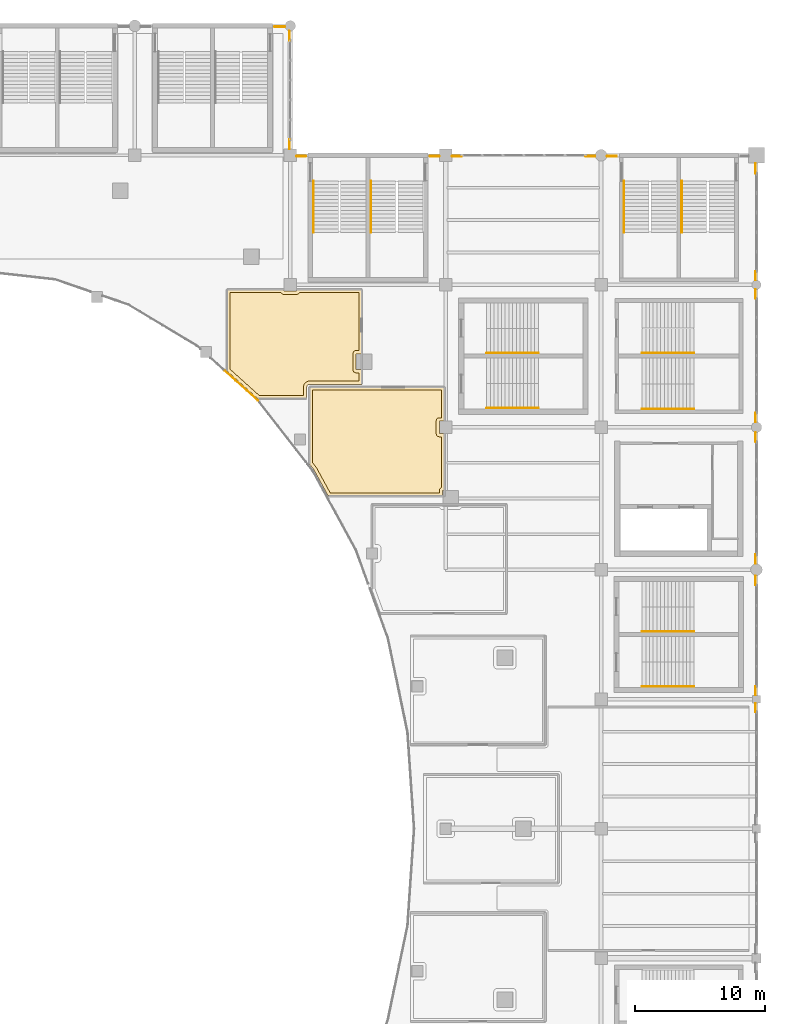
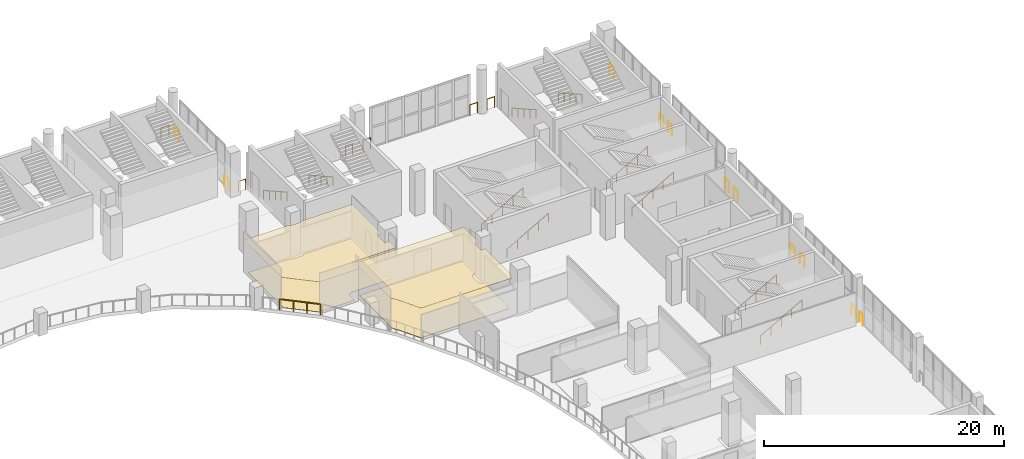
# One storey, part 89 of 90: 28 railings, 4 coverings.
"""IFC4 building model written with IfcOpenShell, lengths in metres."""

from ifc_helpers import new_model, si_unit, direction, frame, origin, origin_2d, place, context, subcontext, project, spatial, polyline, circle, outline, extrude, material, layer, layer_set, type_object, element, save


model = new_model("IFC4")

# Units and contexts
model_context = context("Model", 3, precision=1e-05, world=origin(), true_north=direction((0.0, 1.0)))
body_context = subcontext(model_context, "Body", "Model", "MODEL_VIEW")
ifc_project = project(units=[si_unit("LENGTHUNIT", "METRE"), si_unit("AREAUNIT", "SQUARE_METRE"), si_unit("VOLUMEUNIT", "CUBIC_METRE"), si_unit("PLANEANGLEUNIT", "RADIAN"), si_unit("MASSUNIT", "GRAM", prefix="KILO")], contexts=[model_context])

# Site, building, storey
site_placement = place(None, origin())
site = spatial("IfcSite", under=ifc_project, at=site_placement, CompositionType="ELEMENT")
building_placement = place(site_placement, origin())
building = spatial("IfcBuilding", under=site, at=building_placement, Name="Brinegate Civic Arena", CompositionType="ELEMENT")
storey_placement = place(building_placement, frame((0.0, 0.0, 14.699951171875)))
storey = spatial("IfcBuildingStorey", under=building, at=storey_placement, Name="L03", CompositionType="ELEMENT", Elevation=14.699951171875)

# Coverings
ifc_material_1 = material(Name="Acoustic perforated aluminium ceiling", Category="aluminium")
ifc_layer_1 = layer(ifc_material_1, 0.02490234375, Name="Acoustic perforated aluminium ceiling")
ifc_layer_set_1 = layer_set([ifc_layer_1], Name="Acoustic perforated aluminium ceiling")
covering_type_1 = type_object("IfcCoveringType", Name="CEILING-ACOUSTIC-25", PredefinedType="CEILING", material=ifc_layer_set_1)
covering_1_placement = place(storey_placement, frame((0.0, 0.0, 3.235107421875)))
element("IfcCovering", 1, at=covering_1_placement, inside=storey, type_object=covering_type_1, Name="Acoustic Ceiling L03-108", PredefinedType="CEILING", context=body_context, shape_type="SweptSolid", body=[
    extrude(outline(polyline([(143.90087890625, 96.113037109375), (143.903076171875, 96.112060546875), (143.905029296875, 96.111083984375), (143.906005859375, 96.111083984375), (143.907958984375, 96.110107421875), (143.909912109375, 96.10791015625), (143.910888671875, 96.10693359375), (143.912109375, 96.10595703125), (143.9140625, 96.10400390625), (143.9150390625, 96.10205078125), (143.9150390625, 96.10107421875), (143.916015625, 96.09912109375), (143.9169921875, 96.096923828125), (143.9169921875, 96.094970703125), (143.9169921875, 96.093017578125), (143.9169921875, 93.485107421875), (143.514892578125, 93.485107421875), (143.514892578125, 92.514892578125), (143.9169921875, 92.514892578125), (143.9169921875, 88.110107421875), (143.762939453125, 88.110107421875), (143.762939453125, 87.673095703125), (134.951904296875, 87.673095703125), (134.949951171875, 87.673095703125), (134.947998046875, 87.673095703125), (134.946044921875, 87.674072265625), (134.944091796875, 87.674072265625), (134.943115234375, 87.675048828125), (134.94091796875, 87.676025390625), (134.93896484375, 87.677001953125), (134.93798828125, 87.678955078125), (134.93701171875, 87.679931640625), (134.93505859375, 87.681884765625), (134.93408203125, 87.68310546875), (133.821044921875, 89.72607421875), (133.803955078125, 89.7509765625), (133.48095703125, 90.1650390625), (133.47998046875, 90.166015625), (133.47900390625, 90.16796875), (133.47802734375, 90.169921875), (133.47802734375, 90.1708984375), (133.47705078125, 90.173095703125), (133.47705078125, 90.175048828125), (133.47705078125, 90.177001953125), (133.47705078125, 96.093017578125), (133.47705078125, 96.094970703125), (133.47705078125, 96.096923828125), (133.47802734375, 96.09912109375), (133.47900390625, 96.10107421875), (133.47900390625, 96.10205078125), (133.47998046875, 96.10400390625), (133.48193359375, 96.10595703125), (133.48291015625, 96.10693359375), (133.48388671875, 96.10791015625), (133.486083984375, 96.110107421875), (133.488037109375, 96.111083984375), (133.489013671875, 96.111083984375), (133.490966796875, 96.112060546875), (133.492919921875, 96.113037109375), (133.4951171875, 96.113037109375), (133.4970703125, 96.113037109375), (143.89697265625, 96.113037109375), (143.89892578125, 96.113037109375), (143.90087890625, 96.113037109375)])), origin(), (0.0, 0.0, 1.0), 0.02490234375),
])
ifc_layer_2 = layer(ifc_material_1, 0.034912109375, Name="Acoustic perforated aluminium ceiling")
ifc_layer_set_2 = layer_set([ifc_layer_2], Name="Acoustic perforated aluminium ceiling")
covering_type_2 = type_object("IfcCoveringType", Name="CEILING-ACOUSTIC-35", PredefinedType="CEILING", material=ifc_layer_set_2)
covering_2_placement = place(storey_placement, frame((0.0, 0.0, 3.22509765625)))
element("IfcCovering", 2, at=covering_2_placement, inside=storey, type_object=covering_type_2, Name="Acoustic Ceiling L03-109", PredefinedType="CEILING", context=body_context, shape_type="SweptSolid", body=[
    extrude(outline(polyline([(137.52294921875, 103.65087890625), (137.52490234375, 103.64990234375), (137.527099609375, 103.64892578125), (137.528076171875, 103.64892578125), (137.530029296875, 103.64794921875), (137.531982421875, 103.64599609375), (137.532958984375, 103.64501953125), (137.533935546875, 103.64404296875), (137.535888671875, 103.64208984375), (137.537109375, 103.639892578125), (137.537109375, 103.638916015625), (137.5380859375, 103.636962890625), (137.5390625, 103.635009765625), (137.5390625, 103.633056640625), (137.5390625, 103.631103515625), (137.5390625, 98.672119140625), (137.087890625, 98.672119140625), (137.087890625, 97.451904296875), (137.5390625, 97.451904296875), (137.5390625, 96.343017578125), (137.5390625, 96.341064453125), (137.5390625, 96.339111328125), (137.5380859375, 96.3369140625), (137.537109375, 96.3349609375), (137.537109375, 96.333984375), (137.535888671875, 96.33203125), (137.533935546875, 96.330078125), (137.532958984375, 96.3291015625), (137.531982421875, 96.327880859375), (137.530029296875, 96.325927734375), (137.528076171875, 96.324951171875), (137.527099609375, 96.324951171875), (137.52490234375, 96.323974609375), (137.52294921875, 96.322998046875), (137.52099609375, 96.322998046875), (137.51904296875, 96.322998046875), (133.47412109375, 96.322021484375), (133.429931640625, 96.31298828125), (133.387939453125, 96.294921875), (133.368896484375, 96.283935546875), (133.333984375, 96.256103515625), (133.320068359375, 96.239990234375), (133.2939453125, 96.200927734375), (133.284912109375, 96.181884765625), (133.27197265625, 96.137939453125), (133.26708984375, 96.092041015625), (133.26708984375, 95.23095703125), (133.26708984375, 95.22900390625), (133.26708984375, 95.22705078125), (133.26611328125, 95.22509765625), (133.264892578125, 95.222900390625), (133.264892578125, 95.221923828125), (133.263916015625, 95.219970703125), (133.261962890625, 95.218017578125), (133.260986328125, 95.217041015625), (133.260009765625, 95.216064453125), (133.258056640625, 95.214111328125), (133.256103515625, 95.212890625), (133.2548828125, 95.212890625), (133.2529296875, 95.2119140625), (133.2509765625, 95.2109375), (133.2490234375, 95.2109375), (133.2470703125, 95.2109375), (129.508056640625, 95.2109375), (129.506103515625, 95.2109375), (129.50390625, 95.2109375), (129.501953125, 95.2119140625), (129.5, 95.212890625), (129.498046875, 95.214111328125), (129.49609375, 95.215087890625), (129.4951171875, 95.216064453125), (127.10595703125, 97.364013671875), (127.10400390625, 97.364990234375), (127.10302734375, 97.366943359375), (127.10205078125, 97.367919921875), (127.10107421875, 97.3701171875), (127.10009765625, 97.3720703125), (127.10009765625, 97.373046875), (127.09912109375, 97.375), (127.09912109375, 97.376953125), (127.09912109375, 97.37890625), (127.09912109375, 103.631103515625), (127.09912109375, 103.633056640625), (127.09912109375, 103.635009765625), (127.10009765625, 103.636962890625), (127.10107421875, 103.638916015625), (127.10107421875, 103.639892578125), (127.10205078125, 103.64208984375), (127.10400390625, 103.64404296875), (127.10498046875, 103.64501953125), (127.10595703125, 103.64599609375), (127.10791015625, 103.64794921875), (127.110107421875, 103.64892578125), (127.111083984375, 103.64892578125), (127.113037109375, 103.64990234375), (127.114990234375, 103.65087890625), (127.116943359375, 103.65087890625), (127.118896484375, 103.65087890625), (131.514892578125, 103.65087890625), (131.514892578125, 103.514892578125), (132.485107421875, 103.514892578125), (132.485107421875, 103.65087890625), (137.51904296875, 103.65087890625), (137.52099609375, 103.65087890625), (137.52294921875, 103.65087890625)])), origin(), (0.0, 0.0, 1.0), 0.034912109375),
])
ifc_material_2 = material(Name="Polished coral terrazzo flooring")
ifc_layer_3 = layer(ifc_material_2, 0.013916015625, Name="Polished coral terrazzo flooring")
ifc_layer_set_3 = layer_set([ifc_layer_3], Name="Polished coral terrazzo flooring")
covering_type_3 = type_object("IfcCoveringType", Name="FLOORING-ACOUSTIC-14", PredefinedType="FLOORING", material=ifc_layer_set_3)
covering_3_placement = place(storey_placement, origin())
element("IfcCovering", 3, at=covering_3_placement, inside=storey, type_object=covering_type_3, Name="Flooring L03-109", PredefinedType="FLOORING", context=body_context, shape_type="SweptSolid", body=[
    extrude(outline(polyline([(127.34912109375, 103.40087890625), (131.29296875, 103.40087890625), (131.294921875, 103.39697265625), (131.306884765625, 103.3759765625), (131.322021484375, 103.35595703125), (131.337890625, 103.337890625), (131.35595703125, 103.322021484375), (131.3759765625, 103.306884765625), (131.39697265625, 103.294921875), (131.4189453125, 103.283935546875), (131.44189453125, 103.27587890625), (131.466064453125, 103.27001953125), (131.489990234375, 103.26611328125), (131.514892578125, 103.264892578125), (132.485107421875, 103.264892578125), (132.510009765625, 103.26611328125), (132.533935546875, 103.27001953125), (132.55810546875, 103.27587890625), (132.5810546875, 103.283935546875), (132.60302734375, 103.294921875), (132.6240234375, 103.306884765625), (132.64404296875, 103.322021484375), (132.662109375, 103.337890625), (132.677978515625, 103.35595703125), (132.693115234375, 103.3759765625), (132.705078125, 103.39697265625), (132.70703125, 103.40087890625), (137.2890625, 103.40087890625), (137.2890625, 98.922119140625), (137.087890625, 98.922119140625), (137.06298828125, 98.9208984375), (137.0390625, 98.9169921875), (137.014892578125, 98.910888671875), (136.991943359375, 98.903076171875), (136.969970703125, 98.89208984375), (136.948974609375, 98.8798828125), (136.928955078125, 98.864990234375), (136.910888671875, 98.84912109375), (136.89501953125, 98.8310546875), (136.8798828125, 98.81103515625), (136.867919921875, 98.7900390625), (136.85693359375, 98.76806640625), (136.84912109375, 98.7451171875), (136.843017578125, 98.720947265625), (136.839111328125, 98.697021484375), (136.837890625, 98.672119140625), (136.837890625, 97.451904296875), (136.839111328125, 97.427001953125), (136.843017578125, 97.403076171875), (136.84912109375, 97.37890625), (136.85693359375, 97.35595703125), (136.867919921875, 97.333984375), (136.8798828125, 97.31298828125), (136.89501953125, 97.29296875), (136.910888671875, 97.27490234375), (136.928955078125, 97.259033203125), (136.948974609375, 97.243896484375), (136.969970703125, 97.23193359375), (136.991943359375, 97.220947265625), (137.014892578125, 97.212890625), (137.0390625, 97.20703125), (137.06298828125, 97.202880859375), (137.087890625, 97.201904296875), (137.2890625, 97.201904296875), (137.2890625, 96.572998046875), (133.47412109375, 96.572021484375), (133.447998046875, 96.571044921875), (133.423095703125, 96.56689453125), (133.37890625, 96.55810546875), (133.35595703125, 96.551025390625), (133.3330078125, 96.54296875), (133.291015625, 96.52490234375), (133.263916015625, 96.511962890625), (133.2451171875, 96.501953125), (133.22802734375, 96.490966796875), (133.2109375, 96.47802734375), (133.176025390625, 96.448974609375), (133.160888671875, 96.43603515625), (133.14697265625, 96.422119140625), (133.133056640625, 96.406005859375), (133.111083984375, 96.376953125), (133.0859375, 96.337890625), (133.071044921875, 96.31298828125), (133.06103515625, 96.29296875), (133.052001953125, 96.27392578125), (133.044921875, 96.2529296875), (133.031982421875, 96.208984375), (133.02587890625, 96.18701171875), (133.02294921875, 96.1630859375), (133.01806640625, 96.116943359375), (133.01708984375, 96.092041015625), (133.01708984375, 95.4609375), (129.595947265625, 95.4609375), (127.34912109375, 97.48095703125), (127.34912109375, 103.40087890625)])), origin(), (0.0, 0.0, 1.0), 0.01416015625),
])
ifc_layer_4 = layer(ifc_material_2, 0.028076171875, Name="Polished coral terrazzo flooring")
ifc_layer_set_4 = layer_set([ifc_layer_4], Name="Polished coral terrazzo flooring")
covering_type_4 = type_object("IfcCoveringType", Name="FLOORING-TERRAZZO-28", PredefinedType="FLOORING", material=ifc_layer_set_4)
covering_4_placement = place(storey_placement, origin())
element("IfcCovering", 4, at=covering_4_placement, inside=storey, type_object=covering_type_4, Name="Flooring L03-108", PredefinedType="FLOORING", context=body_context, shape_type="SweptSolid", body=[
    extrude(outline(polyline([(133.72705078125, 95.863037109375), (143.6669921875, 95.863037109375), (143.6669921875, 93.735107421875), (143.514892578125, 93.735107421875), (143.489990234375, 93.73388671875), (143.466064453125, 93.72998046875), (143.44189453125, 93.72412109375), (143.4189453125, 93.716064453125), (143.39697265625, 93.705078125), (143.3759765625, 93.693115234375), (143.35595703125, 93.677978515625), (143.337890625, 93.662109375), (143.322021484375, 93.64404296875), (143.306884765625, 93.6240234375), (143.294921875, 93.60302734375), (143.283935546875, 93.5810546875), (143.27587890625, 93.55810546875), (143.27001953125, 93.533935546875), (143.26611328125, 93.510009765625), (143.264892578125, 93.485107421875), (143.264892578125, 92.514892578125), (143.26611328125, 92.489990234375), (143.27001953125, 92.466064453125), (143.27587890625, 92.44189453125), (143.283935546875, 92.4189453125), (143.294921875, 92.39697265625), (143.306884765625, 92.3759765625), (143.322021484375, 92.35595703125), (143.337890625, 92.337890625), (143.35595703125, 92.322021484375), (143.3759765625, 92.306884765625), (143.39697265625, 92.294921875), (143.4189453125, 92.283935546875), (143.44189453125, 92.27587890625), (143.466064453125, 92.27001953125), (143.489990234375, 92.26611328125), (143.514892578125, 92.264892578125), (143.6669921875, 92.264892578125), (143.6669921875, 88.341064453125), (143.64501953125, 88.330078125), (143.6240234375, 88.318115234375), (143.60400390625, 88.302978515625), (143.5859375, 88.287109375), (143.570068359375, 88.26904296875), (143.554931640625, 88.2490234375), (143.54296875, 88.22802734375), (143.531982421875, 88.2060546875), (143.52392578125, 88.18310546875), (143.51806640625, 88.158935546875), (143.513916015625, 88.135009765625), (143.512939453125, 88.110107421875), (143.512939453125, 87.923095703125), (135.089111328125, 87.923095703125), (134.0400390625, 89.844970703125), (134.029052734375, 89.864013671875), (134.011962890625, 89.889892578125), (134.0009765625, 89.905029296875), (133.72705078125, 90.256103515625), (133.72705078125, 95.863037109375)])), origin(), (0.0, 0.0, 1.0), 0.028076171875),
])

# Railings
ifc_material_3 = material(Name="Architectural stainless steel balustrade", Category="steel")
railing_type_1 = type_object("IfcRailingType", Name="RAIL-STAIR-HANDRAIL-900", PredefinedType="HANDRAIL", material=ifc_material_3)
for number, where, name in (
    (5, (157.77490234375, 108.0400390625, 2.25), "Stair Pitch Handrail ST-05A L03"),
    (6, (162.22509765625, 108.0400390625, 2.25), "Stair Pitch Handrail ST-05B L03"),
):
    element("IfcRailing", number, at=place(storey_placement, frame(where)), inside=storey, type_object=railing_type_1, Name=name, PredefinedType="HANDRAIL", context=body_context, shape_type="SweptSolid", body=[
        extrude(circle(Radius=0.02392578125, at=origin_2d()), frame((0.0, 0.001220703125, 0.875), z_axis=(0.0, 0.871049806155, -0.491194701923), x_axis=(-1.0, 0.0, 0.0)), (0.0, 0.0, 1.0), 4.57763671875),
        extrude(circle(Radius=0.02099609375, at=origin_2d()), origin(), (0.0, 0.0, 1.0), 0.849853515625),
        extrude(circle(Radius=0.02099609375, at=origin_2d()), frame((0.0, 0.99755859375, -0.5625)), (0.0, 0.0, 1.0), 0.849853515625),
        extrude(circle(Radius=0.02099609375, at=origin_2d()), frame((0.0, 1.9951171875, -1.125)), (0.0, 0.0, 1.0), 0.849853515625),
        extrude(circle(Radius=0.02099609375, at=origin_2d()), frame((0.0, 2.992431640625, -1.6875)), (0.0, 0.0, 1.0), 0.849853515625),
        extrude(circle(Radius=0.02099609375, at=origin_2d()), frame((0.0, 3.989990234375, -2.25)), (0.0, 0.0, 1.0), 0.849853515625),
    ])
for number, where, name in (
    (7, (159.169921875, 72.97509765625, 0.0), "Stair Pitch Handrail ST-09A L03"),
    (8, (159.169921875, 77.22509765625, 0.0), "Stair Pitch Handrail ST-09B L03"),
):
    element("IfcRailing", number, at=place(storey_placement, frame(where)), inside=storey, type_object=railing_type_1, Name=name, PredefinedType="HANDRAIL", context=body_context, shape_type="SweptSolid", body=[
        extrude(circle(Radius=0.02392578125, at=origin_2d()), frame((0.001220703125, 0.0, 0.876708984375), z_axis=(0.871049806155, 0.0, 0.491194701923), x_axis=(0.0, 1.0, 0.0)), (0.0, 0.0, 1.0), 4.57763671875),
        extrude(circle(Radius=0.02099609375, at=origin_2d()), origin(), (0.0, 0.0, 1.0), 0.849853515625),
        extrude(circle(Radius=0.02099609375, at=origin_2d()), frame((0.99755859375, 0.0, 0.5625)), (0.0, 0.0, 1.0), 0.849853515625),
        extrude(circle(Radius=0.02099609375, at=origin_2d()), frame((1.9951171875, 0.0, 1.125)), (0.0, 0.0, 1.0), 0.849853515625),
        extrude(circle(Radius=0.02099609375, at=origin_2d()), frame((2.992431640625, 0.0, 1.6875)), (0.0, 0.0, 1.0), 0.849853515625),
        extrude(circle(Radius=0.02099609375, at=origin_2d()), frame((3.989990234375, 0.0, 2.25)), (0.0, 0.0, 1.0), 0.849853515625),
    ])
for number, where, name in (
    (9, (133.804931640625, 108.0400390625, 2.25), "Stair Pitch Handrail ST-13A L03"),
    (10, (138.22509765625, 108.0400390625, 2.25), "Stair Pitch Handrail ST-13B L03"),
):
    element("IfcRailing", number, at=place(storey_placement, frame(where)), inside=storey, type_object=railing_type_1, Name=name, PredefinedType="HANDRAIL", context=body_context, shape_type="SweptSolid", body=[
        extrude(circle(Radius=0.02392578125, at=origin_2d()), frame((0.0, 0.001220703125, 0.875), z_axis=(0.0, 0.871049806155, -0.491194701923), x_axis=(-1.0, 0.0, 0.0)), (0.0, 0.0, 1.0), 4.57763671875),
        extrude(circle(Radius=0.02099609375, at=origin_2d()), origin(), (0.0, 0.0, 1.0), 0.849853515625),
        extrude(circle(Radius=0.02099609375, at=origin_2d()), frame((0.0, 0.99755859375, -0.5625)), (0.0, 0.0, 1.0), 0.849853515625),
        extrude(circle(Radius=0.02099609375, at=origin_2d()), frame((0.0, 1.9951171875, -1.125)), (0.0, 0.0, 1.0), 0.849853515625),
        extrude(circle(Radius=0.02099609375, at=origin_2d()), frame((0.0, 2.992431640625, -1.6875)), (0.0, 0.0, 1.0), 0.849853515625),
        extrude(circle(Radius=0.02099609375, at=origin_2d()), frame((0.0, 3.989990234375, -2.25)), (0.0, 0.0, 1.0), 0.849853515625),
    ])
for number, where, name in (
    (11, (147.169921875, 94.47509765625, 0.0), "Stair Pitch Handrail ST-18A L03"),
    (12, (147.169921875, 98.72509765625, 0.0), "Stair Pitch Handrail ST-18B L03"),
    (13, (159.169921875, 94.425048828125, 0.0), "Stair Pitch Handrail ST-20A L03"),
    (14, (159.169921875, 98.72509765625, 0.0), "Stair Pitch Handrail ST-20B L03"),
):
    element("IfcRailing", number, at=place(storey_placement, frame(where)), inside=storey, type_object=railing_type_1, Name=name, PredefinedType="HANDRAIL", context=body_context, shape_type="SweptSolid", body=[
        extrude(circle(Radius=0.02392578125, at=origin_2d()), frame((0.001220703125, 0.0, 0.876708984375), z_axis=(0.871049806155, 0.0, 0.491194701923), x_axis=(0.0, 1.0, 0.0)), (0.0, 0.0, 1.0), 4.57763671875),
        extrude(circle(Radius=0.02099609375, at=origin_2d()), origin(), (0.0, 0.0, 1.0), 0.849853515625),
        extrude(circle(Radius=0.02099609375, at=origin_2d()), frame((0.99755859375, 0.0, 0.5625)), (0.0, 0.0, 1.0), 0.849853515625),
        extrude(circle(Radius=0.02099609375, at=origin_2d()), frame((1.9951171875, 0.0, 1.125)), (0.0, 0.0, 1.0), 0.849853515625),
        extrude(circle(Radius=0.02099609375, at=origin_2d()), frame((2.992431640625, 0.0, 1.6875)), (0.0, 0.0, 1.0), 0.849853515625),
        extrude(circle(Radius=0.02099609375, at=origin_2d()), frame((3.989990234375, 0.0, 2.25)), (0.0, 0.0, 1.0), 0.849853515625),
    ])
railing_type_2 = type_object("IfcRailingType", Name="RAIL-VOID-BALUSTRADE-1120", PredefinedType="BALUSTRADE", material=ifc_material_3)
railing_1_placement = place(storey_placement, frame((130.800048828125, 123.929931640625, 0.0)))
element("IfcRailing", 15, at=railing_1_placement, inside=storey, type_object=railing_type_2, Name="Deck Edge Balustrade L03-244", PredefinedType="BALUSTRADE", context=body_context, shape_type="SweptSolid", body=[
    extrude(circle(Radius=0.02392578125, at=origin_2d()), frame((0.00146484375, 0.0, 1.09619140625), z_axis=(1.0, 0.0, 0.0), x_axis=(0.0, 1.0, 0.0)), (0.0, 0.0, 1.0), 0.777099609375),
    extrude(circle(Radius=0.02099609375, at=origin_2d()), origin(), (0.0, 0.0, 1.0), 1.070068359375),
    extrude(circle(Radius=0.02099609375, at=origin_2d()), frame((0.780029296875, 0.0, 0.0)), (0.0, 0.0, 1.0), 1.070068359375),
])
railing_2_placement = place(storey_placement, frame((131.929931640625, 123.580078125, 0.0)))
element("IfcRailing", 16, at=railing_2_placement, inside=storey, type_object=railing_type_2, Name="Deck Edge Balustrade L03-245", PredefinedType="BALUSTRADE", context=body_context, shape_type="SweptSolid", body=[
    extrude(circle(Radius=0.02392578125, at=origin_2d()), frame((0.0, -0.00146484375, 1.09619140625), z_axis=(0.0, -1.0, 0.0), x_axis=(1.0, 0.0, 0.0)), (0.0, 0.0, 1.0), 0.693115234375),
    extrude(circle(Radius=0.02099609375, at=origin_2d()), origin(), (0.0, 0.0, 1.0), 1.070068359375),
    extrude(circle(Radius=0.02099609375, at=origin_2d()), frame((0.0, -0.696044921875, 0.0)), (0.0, 0.0, 1.0), 1.070068359375),
])
railing_3_placement = place(storey_placement, frame((131.929931640625, 115.221923828125, 0.0)))
element("IfcRailing", 17, at=railing_3_placement, inside=storey, type_object=railing_type_2, Name="Deck Edge Balustrade L03-246", PredefinedType="BALUSTRADE", context=body_context, shape_type="SweptSolid", body=[
    extrude(circle(Radius=0.02392578125, at=origin_2d()), frame((0.0, -0.00146484375, 1.09619140625), z_axis=(0.0, -1.0, 0.0), x_axis=(1.0, 0.0, 0.0)), (0.0, 0.0, 1.0), 0.723876953125),
    extrude(circle(Radius=0.02099609375, at=origin_2d()), origin(), (0.0, 0.0, 1.0), 1.070068359375),
    extrude(circle(Radius=0.02099609375, at=origin_2d()), frame((0.0, -0.726806640625, 0.0)), (0.0, 0.0, 1.0), 1.070068359375),
])
for number, where, name in (
    (18, (132.4951171875, 113.929931640625, 0.0), "Deck Edge Balustrade L03-247"),
    (19, (142.800048828125, 113.929931640625, 0.0), "Deck Edge Balustrade L03-248"),
):
    element("IfcRailing", number, at=place(storey_placement, frame(where)), inside=storey, type_object=railing_type_2, Name=name, PredefinedType="BALUSTRADE", context=body_context, shape_type="SweptSolid", body=[
        extrude(circle(Radius=0.02392578125, at=origin_2d()), frame((0.00146484375, 0.0, 1.09619140625), z_axis=(1.0, 0.0, 0.0), x_axis=(0.0, 1.0, 0.0)), (0.0, 0.0, 1.0), 0.701904296875),
        extrude(circle(Radius=0.02099609375, at=origin_2d()), origin(), (0.0, 0.0, 1.0), 1.070068359375),
        extrude(circle(Radius=0.02099609375, at=origin_2d()), frame((0.704833984375, 0.0, 0.0)), (0.0, 0.0, 1.0), 1.070068359375),
    ])
railing_4_placement = place(storey_placement, frame((144.4951171875, 113.929931640625, 0.0)))
element("IfcRailing", 20, at=railing_4_placement, inside=storey, type_object=railing_type_2, Name="Deck Edge Balustrade L03-249", PredefinedType="BALUSTRADE", context=body_context, shape_type="SweptSolid", body=[
    extrude(circle(Radius=0.02392578125, at=origin_2d()), frame((0.00146484375, 0.0, 1.09619140625), z_axis=(1.0, 0.0, 0.0), x_axis=(0.0, 1.0, 0.0)), (0.0, 0.0, 1.0), 0.723876953125),
    extrude(circle(Radius=0.02099609375, at=origin_2d()), origin(), (0.0, 0.0, 1.0), 1.070068359375),
    extrude(circle(Radius=0.02099609375, at=origin_2d()), frame((0.726806640625, 0.0, 0.0)), (0.0, 0.0, 1.0), 1.070068359375),
])
railing_5_placement = place(storey_placement, frame((154.81396484375, 113.929931640625, 0.0)))
element("IfcRailing", 21, at=railing_5_placement, inside=storey, type_object=railing_type_2, Name="Deck Edge Balustrade L03-250", PredefinedType="BALUSTRADE", context=body_context, shape_type="SweptSolid", body=[
    extrude(circle(Radius=0.02392578125, at=origin_2d()), frame((0.00146484375, 0.0, 1.09619140625), z_axis=(1.0, 0.0, 0.0), x_axis=(0.0, 1.0, 0.0)), (0.0, 0.0, 1.0), 0.713134765625),
    extrude(circle(Radius=0.02099609375, at=origin_2d()), origin(), (0.0, 0.0, 1.0), 1.070068359375),
    extrude(circle(Radius=0.02099609375, at=origin_2d()), frame((0.716064453125, 0.0, 0.0)), (0.0, 0.0, 1.0), 1.070068359375),
])
railing_6_placement = place(storey_placement, frame((156.469970703125, 113.929931640625, 0.0)))
element("IfcRailing", 22, at=railing_6_placement, inside=storey, type_object=railing_type_2, Name="Deck Edge Balustrade L03-251", PredefinedType="BALUSTRADE", context=body_context, shape_type="SweptSolid", body=[
    extrude(circle(Radius=0.02392578125, at=origin_2d()), frame((0.00146484375, 0.0, 1.09619140625), z_axis=(1.0, 0.0, 0.0), x_axis=(0.0, 1.0, 0.0)), (0.0, 0.0, 1.0), 0.72705078125),
    extrude(circle(Radius=0.02099609375, at=origin_2d()), origin(), (0.0, 0.0, 1.0), 1.070068359375),
    extrude(circle(Radius=0.02099609375, at=origin_2d()), frame((0.72998046875, 0.0, 0.0)), (0.0, 0.0, 1.0), 1.070068359375),
])
railing_7_placement = place(storey_placement, frame((167.929931640625, 113.3798828125, 0.0)))
element("IfcRailing", 23, at=railing_7_placement, inside=storey, type_object=railing_type_2, Name="Deck Edge Balustrade L03-253", PredefinedType="BALUSTRADE", context=body_context, shape_type="SweptSolid", body=[
    extrude(circle(Radius=0.02392578125, at=origin_2d()), frame((0.0, -0.00146484375, 1.09619140625), z_axis=(0.0, -1.0, 0.0), x_axis=(1.0, 0.0, 0.0)), (0.0, 0.0, 1.0), 0.77587890625),
    extrude(circle(Radius=0.02099609375, at=origin_2d()), origin(), (0.0, 0.0, 1.0), 1.070068359375),
    extrude(circle(Radius=0.02099609375, at=origin_2d()), frame((0.0, -0.77880859375, 0.0)), (0.0, 0.0, 1.0), 1.070068359375),
])
for number, where, name in (
    (24, (167.929931640625, 105.044921875, 0.0), "Deck Edge Balustrade L03-254"),
    (25, (167.929931640625, 103.6298828125, 0.0), "Deck Edge Balustrade L03-255"),
):
    element("IfcRailing", number, at=place(storey_placement, frame(where)), inside=storey, type_object=railing_type_2, Name=name, PredefinedType="BALUSTRADE", context=body_context, shape_type="SweptSolid", body=[
        extrude(circle(Radius=0.02392578125, at=origin_2d()), frame((0.0, -0.00146484375, 1.09619140625), z_axis=(0.0, -1.0, 0.0), x_axis=(1.0, 0.0, 0.0)), (0.0, 0.0, 1.0), 0.671875),
        extrude(circle(Radius=0.02099609375, at=origin_2d()), origin(), (0.0, 0.0, 1.0), 1.070068359375),
        extrude(circle(Radius=0.02099609375, at=origin_2d()), frame((0.0, -0.6748046875, 0.0)), (0.0, 0.0, 1.0), 1.070068359375),
    ])
for number, where, name in (
    (26, (167.929931640625, 94.115966796875, 0.0), "Deck Edge Balustrade L03-256"),
    (27, (167.929931640625, 92.580078125, 0.0), "Deck Edge Balustrade L03-257"),
):
    element("IfcRailing", number, at=place(storey_placement, frame(where)), inside=storey, type_object=railing_type_2, Name=name, PredefinedType="BALUSTRADE", context=body_context, shape_type="SweptSolid", body=[
        extrude(circle(Radius=0.02392578125, at=origin_2d()), frame((0.0, -0.00146484375, 1.09619140625), z_axis=(0.0, -1.0, 0.0), x_axis=(1.0, 0.0, 0.0)), (0.0, 0.0, 1.0), 0.693115234375),
        extrude(circle(Radius=0.02099609375, at=origin_2d()), origin(), (0.0, 0.0, 1.0), 1.070068359375),
        extrude(circle(Radius=0.02099609375, at=origin_2d()), frame((0.0, -0.696044921875, 0.0)), (0.0, 0.0, 1.0), 1.070068359375),
    ])
for number, where, name in (
    (28, (167.929931640625, 83.18603515625, 0.0), "Deck Edge Balustrade L03-258"),
    (29, (167.929931640625, 81.530029296875, 0.0), "Deck Edge Balustrade L03-259"),
):
    element("IfcRailing", number, at=place(storey_placement, frame(where)), inside=storey, type_object=railing_type_2, Name=name, PredefinedType="BALUSTRADE", context=body_context, shape_type="SweptSolid", body=[
        extrude(circle(Radius=0.02392578125, at=origin_2d()), frame((0.0, -0.00146484375, 1.09619140625), z_axis=(0.0, -1.0, 0.0), x_axis=(1.0, 0.0, 0.0)), (0.0, 0.0, 1.0), 0.713134765625),
        extrude(circle(Radius=0.02099609375, at=origin_2d()), origin(), (0.0, 0.0, 1.0), 1.070068359375),
        extrude(circle(Radius=0.02099609375, at=origin_2d()), frame((0.0, -0.716064453125, 0.0)), (0.0, 0.0, 1.0), 1.070068359375),
    ])
for number, where, name in (
    (30, (167.929931640625, 72.97412109375, 0.0), "Deck Edge Balustrade L03-260"),
    (31, (167.929931640625, 71.679931640625, 0.0), "Deck Edge Balustrade L03-261"),
):
    element("IfcRailing", number, at=place(storey_placement, frame(where)), inside=storey, type_object=railing_type_2, Name=name, PredefinedType="BALUSTRADE", context=body_context, shape_type="SweptSolid", body=[
        extrude(circle(Radius=0.02392578125, at=origin_2d()), frame((0.0, -0.00146484375, 1.09619140625), z_axis=(0.0, -1.0, 0.0), x_axis=(1.0, 0.0, 0.0)), (0.0, 0.0, 1.0), 0.651123046875),
        extrude(circle(Radius=0.02099609375, at=origin_2d()), origin(), (0.0, 0.0, 1.0), 1.070068359375),
        extrude(circle(Radius=0.02099609375, at=origin_2d()), frame((0.0, -0.654052734375, 0.0)), (0.0, 0.0, 1.0), 1.070068359375),
    ])
railing_8_placement = place(storey_placement, frame((129.508056640625, 95.056884765625, 0.0)))
element("IfcRailing", 32, at=railing_8_placement, inside=storey, type_object=railing_type_2, Name="Deck Edge Balustrade L03-306", PredefinedType="BALUSTRADE", context=body_context, shape_type="SweptSolid", body=[
    extrude(circle(Radius=0.02392578125, at=origin_2d()), frame((-0.001220703125, 0.0009765625, 1.09619140625), z_axis=(-0.74380411256, 0.668397667664, 0.0), x_axis=(-0.668397667664, -0.74380411256, 0.0)), (0.0, 0.0, 1.0), 3.470947265625),
    extrude(circle(Radius=0.02099609375, at=origin_2d()), origin(), (0.0, 0.0, 1.0), 1.070068359375),
    extrude(circle(Radius=0.02099609375, at=origin_2d()), frame((-0.861328125, 0.77392578125, 0.0)), (0.0, 0.0, 1.0), 1.070068359375),
    extrude(circle(Radius=0.02099609375, at=origin_2d()), frame((-1.72265625, 1.548095703125, 0.0)), (0.0, 0.0, 1.0), 1.070068359375),
    extrude(circle(Radius=0.02099609375, at=origin_2d()), frame((-2.583984375, 2.322021484375, 0.0)), (0.0, 0.0, 1.0), 1.070068359375),
])

save(model, "model.ifc")
